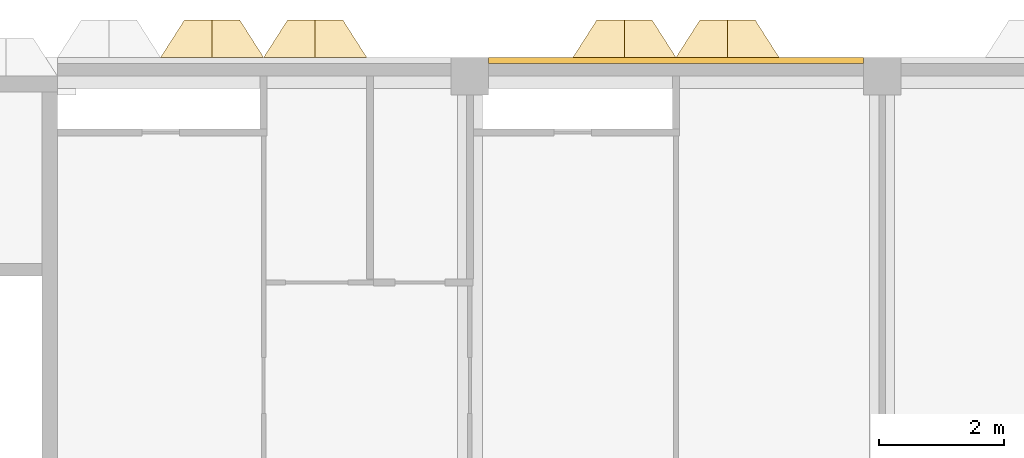
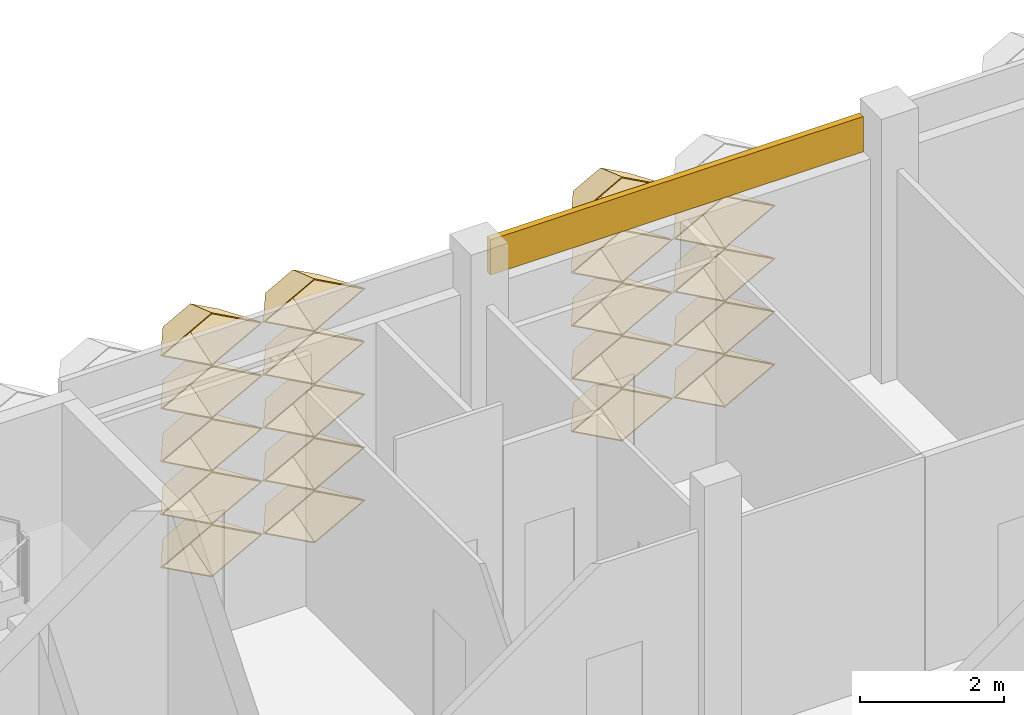
# One storey, part 78 of 87: 20 coverings.
"""IFC4 building model written with IfcOpenShell, lengths in metres."""

from ifc_helpers import new_model, entity, si_unit, direction, frame, frame_2d, origin, place, context, subcontext, project, spatial, rectangle, extrude, material, layer, layer_set, type_object, element, save


model = new_model("IFC4")

# Units and contexts
model_context = context("Model", 3, precision=1e-05, world=origin(), true_north=direction((0.0, 1.0)))
body_context = subcontext(model_context, "Body", "Model", "MODEL_VIEW")
ifc_project = project(units=[si_unit("LENGTHUNIT", "METRE"), si_unit("AREAUNIT", "SQUARE_METRE"), si_unit("VOLUMEUNIT", "CUBIC_METRE"), si_unit("PLANEANGLEUNIT", "RADIAN"), si_unit("MASSUNIT", "GRAM", prefix="KILO")], contexts=[model_context])

# Site, building, storey
site_placement = place(None, origin())
site = spatial("IfcSite", under=ifc_project, at=site_placement, CompositionType="ELEMENT")
building_placement = place(site_placement, origin())
building = spatial("IfcBuilding", under=site, at=building_placement, Name="Lantern Court Research Institute", CompositionType="ELEMENT")
storey_placement = place(building_placement, frame((0.0, 0.0, 5.39990234375)))
storey = spatial("IfcBuildingStorey", under=building, at=storey_placement, Name="L01", CompositionType="ELEMENT", Elevation=5.39990234375)

# Coverings
ifc_material_1 = material(Name="Aluminium composite panel with mineral wool insulation", Category="aluminium")
ifc_layer_1 = layer(ifc_material_1, 0.10009765625)
ifc_layer_set_1 = layer_set([ifc_layer_1], Name="Aluminium composite panel with mineral wool insulation")
covering_type_1 = type_object("IfcCoveringType", Name="Edge fascia panel 100 aluminium faced", PredefinedType="CLADDING", material=ifc_layer_set_1)
covering_1_placement = place(storey_placement, frame((13.5, 99.25, 3.650146484375), z_axis=(0.0, 0.0, 1.0), x_axis=(1.0, 0.0, 0.0)))
element("IfcCovering", 1, at=covering_1_placement, inside=storey, type_object=covering_type_1, Name="Edge fascia V6N L01 02", PredefinedType="CLADDING", context=body_context, shape_type="SweptSolid", body=[
    extrude(rectangle(XDim=6.0, YDim=0.10009765625, at=frame_2d((3.0, 0.0))), origin(), (0.0, 0.0, 1.0), 0.599853515625),
])
ifc_material_2 = material(Name="Anodised aluminium", Category="aluminium")
ifc_layer_2 = layer(ifc_material_2, 0.01611328125)
ifc_layer_set_2 = layer_set([ifc_layer_2], Name="Anodised aluminium")
covering_type_2 = type_object("IfcCoveringType", Name="Fin cassette 1650 x 900 x 600 aluminium", PredefinedType="CLADDING", material=ifc_layer_set_2)
covering_2_placement = place(storey_placement, frame((9.074951171875, 99.300048828125, 0.4501953125), z_axis=(0.0, 1.0, 0.0), x_axis=(-1.0, 0.0, 0.0)))
cartesian_point_1 = entity("IfcCartesianPoint", [0.824951171875, 0.0])
cartesian_point_2 = entity("IfcCartesianPoint", [0.79150390625, 0.0])
cartesian_point_3 = entity("IfcCartesianPoint", [0.44189453125, 0.0])
cartesian_point_4 = entity("IfcCartesianPoint", [0.43359375, 0.0])
element("IfcCovering", 2, at=covering_2_placement, inside=storey, type_object=covering_type_2, Name="Fin cassette V6N-L01 1.6", PredefinedType="CLADDING", context=body_context, shape_type="SweptSolid", body=[
    entity("IfcExtrudedAreaSolidTapered", entity("IfcArbitraryProfileDefWithVoids", "AREA", None, entity("IfcPolyline", [cartesian_point_1, entity("IfcCartesianPoint", [0.0, 0.449951171875]), entity("IfcCartesianPoint", [-0.824951171875, 0.0]), entity("IfcCartesianPoint", [0.0, -0.449951171875]), cartesian_point_1]), [entity("IfcPolyline", [cartesian_point_2, entity("IfcCartesianPoint", [0.0, 0.431884765625]), entity("IfcCartesianPoint", [-0.79150390625, 0.0]), entity("IfcCartesianPoint", [0.0, -0.431884765625]), cartesian_point_2])]), entity("IfcAxis2Placement3D", entity("IfcCartesianPoint", [0.0, 0.0, 0.0])), entity("IfcDirection", [0.0, 0.0, 1.0]), 0.60009765625, entity("IfcArbitraryProfileDefWithVoids", "AREA", None, entity("IfcPolyline", [cartesian_point_3, entity("IfcCartesianPoint", [0.0, 0.240966796875]), entity("IfcCartesianPoint", [-0.44189453125, 0.0]), entity("IfcCartesianPoint", [0.0, -0.240966796875]), cartesian_point_3]), [entity("IfcPolyline", [cartesian_point_4, entity("IfcCartesianPoint", [0.0, 0.236572265625]), entity("IfcCartesianPoint", [-0.43359375, 0.0]), entity("IfcCartesianPoint", [0.0, -0.236572265625]), cartesian_point_4])])),
])
covering_3_placement = place(storey_placement, frame((10.72509765625, 99.300048828125, 0.4501953125), z_axis=(0.0, 1.0, 0.0), x_axis=(-1.0, 0.0, 0.0)))
cartesian_point_5 = entity("IfcCartesianPoint", [0.824951171875, 0.0])
cartesian_point_6 = entity("IfcCartesianPoint", [0.79150390625, 0.0])
cartesian_point_7 = entity("IfcCartesianPoint", [0.44189453125, 0.0])
cartesian_point_8 = entity("IfcCartesianPoint", [0.43359375, 0.0])
element("IfcCovering", 3, at=covering_3_placement, inside=storey, type_object=covering_type_2, Name="Fin cassette V6N-L01 1.7", PredefinedType="CLADDING", context=body_context, shape_type="SweptSolid", body=[
    entity("IfcExtrudedAreaSolidTapered", entity("IfcArbitraryProfileDefWithVoids", "AREA", None, entity("IfcPolyline", [cartesian_point_5, entity("IfcCartesianPoint", [0.0, 0.449951171875]), entity("IfcCartesianPoint", [-0.824951171875, 0.0]), entity("IfcCartesianPoint", [0.0, -0.449951171875]), cartesian_point_5]), [entity("IfcPolyline", [cartesian_point_6, entity("IfcCartesianPoint", [0.0, 0.431884765625]), entity("IfcCartesianPoint", [-0.79150390625, 0.0]), entity("IfcCartesianPoint", [0.0, -0.431884765625]), cartesian_point_6])]), entity("IfcAxis2Placement3D", entity("IfcCartesianPoint", [0.0, 0.0, 0.0])), entity("IfcDirection", [0.0, 0.0, 1.0]), 0.60009765625, entity("IfcArbitraryProfileDefWithVoids", "AREA", None, entity("IfcPolyline", [cartesian_point_7, entity("IfcCartesianPoint", [0.0, 0.240966796875]), entity("IfcCartesianPoint", [-0.44189453125, 0.0]), entity("IfcCartesianPoint", [0.0, -0.240966796875]), cartesian_point_7]), [entity("IfcPolyline", [cartesian_point_8, entity("IfcCartesianPoint", [0.0, 0.236572265625]), entity("IfcCartesianPoint", [-0.43359375, 0.0]), entity("IfcCartesianPoint", [0.0, -0.236572265625]), cartesian_point_8])])),
])
covering_4_placement = place(storey_placement, frame((15.675048828125, 99.300048828125, 0.4501953125), z_axis=(0.0, 1.0, 0.0), x_axis=(-1.0, 0.0, 0.0)))
cartesian_point_9 = entity("IfcCartesianPoint", [0.824951171875, 0.0])
cartesian_point_10 = entity("IfcCartesianPoint", [0.79150390625, 0.0])
cartesian_point_11 = entity("IfcCartesianPoint", [0.44189453125, 0.0])
cartesian_point_12 = entity("IfcCartesianPoint", [0.43359375, 0.0])
element("IfcCovering", 4, at=covering_4_placement, inside=storey, type_object=covering_type_2, Name="Fin cassette V6N-L01 1.10", PredefinedType="CLADDING", context=body_context, shape_type="SweptSolid", body=[
    entity("IfcExtrudedAreaSolidTapered", entity("IfcArbitraryProfileDefWithVoids", "AREA", None, entity("IfcPolyline", [cartesian_point_9, entity("IfcCartesianPoint", [0.0, 0.449951171875]), entity("IfcCartesianPoint", [-0.824951171875, 0.0]), entity("IfcCartesianPoint", [0.0, -0.449951171875]), cartesian_point_9]), [entity("IfcPolyline", [cartesian_point_10, entity("IfcCartesianPoint", [0.0, 0.431884765625]), entity("IfcCartesianPoint", [-0.79150390625, 0.0]), entity("IfcCartesianPoint", [0.0, -0.431884765625]), cartesian_point_10])]), entity("IfcAxis2Placement3D", entity("IfcCartesianPoint", [0.0, 0.0, 0.0])), entity("IfcDirection", [0.0, 0.0, 1.0]), 0.60009765625, entity("IfcArbitraryProfileDefWithVoids", "AREA", None, entity("IfcPolyline", [cartesian_point_11, entity("IfcCartesianPoint", [0.0, 0.240966796875]), entity("IfcCartesianPoint", [-0.44189453125, 0.0]), entity("IfcCartesianPoint", [0.0, -0.240966796875]), cartesian_point_11]), [entity("IfcPolyline", [cartesian_point_12, entity("IfcCartesianPoint", [0.0, 0.236572265625]), entity("IfcCartesianPoint", [-0.43359375, 0.0]), entity("IfcCartesianPoint", [0.0, -0.236572265625]), cartesian_point_12])])),
])
covering_5_placement = place(storey_placement, frame((17.324951171875, 99.300048828125, 0.4501953125), z_axis=(0.0, 1.0, 0.0), x_axis=(-1.0, 0.0, 0.0)))
cartesian_point_13 = entity("IfcCartesianPoint", [0.824951171875, 0.0])
cartesian_point_14 = entity("IfcCartesianPoint", [0.79150390625, 0.0])
cartesian_point_15 = entity("IfcCartesianPoint", [0.44189453125, 0.0])
cartesian_point_16 = entity("IfcCartesianPoint", [0.43359375, 0.0])
element("IfcCovering", 5, at=covering_5_placement, inside=storey, type_object=covering_type_2, Name="Fin cassette V6N-L01 1.11", PredefinedType="CLADDING", context=body_context, shape_type="SweptSolid", body=[
    entity("IfcExtrudedAreaSolidTapered", entity("IfcArbitraryProfileDefWithVoids", "AREA", None, entity("IfcPolyline", [cartesian_point_13, entity("IfcCartesianPoint", [0.0, 0.449951171875]), entity("IfcCartesianPoint", [-0.824951171875, 0.0]), entity("IfcCartesianPoint", [0.0, -0.449951171875]), cartesian_point_13]), [entity("IfcPolyline", [cartesian_point_14, entity("IfcCartesianPoint", [0.0, 0.431884765625]), entity("IfcCartesianPoint", [-0.79150390625, 0.0]), entity("IfcCartesianPoint", [0.0, -0.431884765625]), cartesian_point_14])]), entity("IfcAxis2Placement3D", entity("IfcCartesianPoint", [0.0, 0.0, 0.0])), entity("IfcDirection", [0.0, 0.0, 1.0]), 0.60009765625, entity("IfcArbitraryProfileDefWithVoids", "AREA", None, entity("IfcPolyline", [cartesian_point_15, entity("IfcCartesianPoint", [0.0, 0.240966796875]), entity("IfcCartesianPoint", [-0.44189453125, 0.0]), entity("IfcCartesianPoint", [0.0, -0.240966796875]), cartesian_point_15]), [entity("IfcPolyline", [cartesian_point_16, entity("IfcCartesianPoint", [0.0, 0.236572265625]), entity("IfcCartesianPoint", [-0.43359375, 0.0]), entity("IfcCartesianPoint", [0.0, -0.236572265625]), cartesian_point_16])])),
])
covering_6_placement = place(storey_placement, frame((9.074951171875, 99.300048828125, 1.35009765625), z_axis=(0.0, 1.0, 0.0), x_axis=(-1.0, 0.0, 0.0)))
cartesian_point_17 = entity("IfcCartesianPoint", [0.824951171875, 0.0])
cartesian_point_18 = entity("IfcCartesianPoint", [0.79150390625, 0.0])
cartesian_point_19 = entity("IfcCartesianPoint", [0.44189453125, 0.0])
cartesian_point_20 = entity("IfcCartesianPoint", [0.43359375, 0.0])
element("IfcCovering", 6, at=covering_6_placement, inside=storey, type_object=covering_type_2, Name="Fin cassette V6N-L01 2.6", PredefinedType="CLADDING", context=body_context, shape_type="SweptSolid", body=[
    entity("IfcExtrudedAreaSolidTapered", entity("IfcArbitraryProfileDefWithVoids", "AREA", None, entity("IfcPolyline", [cartesian_point_17, entity("IfcCartesianPoint", [0.0, 0.449951171875]), entity("IfcCartesianPoint", [-0.824951171875, 0.0]), entity("IfcCartesianPoint", [0.0, -0.449951171875]), cartesian_point_17]), [entity("IfcPolyline", [cartesian_point_18, entity("IfcCartesianPoint", [0.0, 0.431884765625]), entity("IfcCartesianPoint", [-0.79150390625, 0.0]), entity("IfcCartesianPoint", [0.0, -0.431884765625]), cartesian_point_18])]), entity("IfcAxis2Placement3D", entity("IfcCartesianPoint", [0.0, 0.0, 0.0])), entity("IfcDirection", [0.0, 0.0, 1.0]), 0.60009765625, entity("IfcArbitraryProfileDefWithVoids", "AREA", None, entity("IfcPolyline", [cartesian_point_19, entity("IfcCartesianPoint", [0.0, 0.240966796875]), entity("IfcCartesianPoint", [-0.44189453125, 0.0]), entity("IfcCartesianPoint", [0.0, -0.240966796875]), cartesian_point_19]), [entity("IfcPolyline", [cartesian_point_20, entity("IfcCartesianPoint", [0.0, 0.236572265625]), entity("IfcCartesianPoint", [-0.43359375, 0.0]), entity("IfcCartesianPoint", [0.0, -0.236572265625]), cartesian_point_20])])),
])
covering_7_placement = place(storey_placement, frame((10.72509765625, 99.300048828125, 1.35009765625), z_axis=(0.0, 1.0, 0.0), x_axis=(-1.0, 0.0, 0.0)))
cartesian_point_21 = entity("IfcCartesianPoint", [0.824951171875, 0.0])
cartesian_point_22 = entity("IfcCartesianPoint", [0.79150390625, 0.0])
cartesian_point_23 = entity("IfcCartesianPoint", [0.44189453125, 0.0])
cartesian_point_24 = entity("IfcCartesianPoint", [0.43359375, 0.0])
element("IfcCovering", 7, at=covering_7_placement, inside=storey, type_object=covering_type_2, Name="Fin cassette V6N-L01 2.7", PredefinedType="CLADDING", context=body_context, shape_type="SweptSolid", body=[
    entity("IfcExtrudedAreaSolidTapered", entity("IfcArbitraryProfileDefWithVoids", "AREA", None, entity("IfcPolyline", [cartesian_point_21, entity("IfcCartesianPoint", [0.0, 0.449951171875]), entity("IfcCartesianPoint", [-0.824951171875, 0.0]), entity("IfcCartesianPoint", [0.0, -0.449951171875]), cartesian_point_21]), [entity("IfcPolyline", [cartesian_point_22, entity("IfcCartesianPoint", [0.0, 0.431884765625]), entity("IfcCartesianPoint", [-0.79150390625, 0.0]), entity("IfcCartesianPoint", [0.0, -0.431884765625]), cartesian_point_22])]), entity("IfcAxis2Placement3D", entity("IfcCartesianPoint", [0.0, 0.0, 0.0])), entity("IfcDirection", [0.0, 0.0, 1.0]), 0.60009765625, entity("IfcArbitraryProfileDefWithVoids", "AREA", None, entity("IfcPolyline", [cartesian_point_23, entity("IfcCartesianPoint", [0.0, 0.240966796875]), entity("IfcCartesianPoint", [-0.44189453125, 0.0]), entity("IfcCartesianPoint", [0.0, -0.240966796875]), cartesian_point_23]), [entity("IfcPolyline", [cartesian_point_24, entity("IfcCartesianPoint", [0.0, 0.236572265625]), entity("IfcCartesianPoint", [-0.43359375, 0.0]), entity("IfcCartesianPoint", [0.0, -0.236572265625]), cartesian_point_24])])),
])
covering_8_placement = place(storey_placement, frame((15.675048828125, 99.300048828125, 1.35009765625), z_axis=(0.0, 1.0, 0.0), x_axis=(-1.0, 0.0, 0.0)))
cartesian_point_25 = entity("IfcCartesianPoint", [0.824951171875, 0.0])
cartesian_point_26 = entity("IfcCartesianPoint", [0.79150390625, 0.0])
cartesian_point_27 = entity("IfcCartesianPoint", [0.44189453125, 0.0])
cartesian_point_28 = entity("IfcCartesianPoint", [0.43359375, 0.0])
element("IfcCovering", 8, at=covering_8_placement, inside=storey, type_object=covering_type_2, Name="Fin cassette V6N-L01 2.10", PredefinedType="CLADDING", context=body_context, shape_type="SweptSolid", body=[
    entity("IfcExtrudedAreaSolidTapered", entity("IfcArbitraryProfileDefWithVoids", "AREA", None, entity("IfcPolyline", [cartesian_point_25, entity("IfcCartesianPoint", [0.0, 0.449951171875]), entity("IfcCartesianPoint", [-0.824951171875, 0.0]), entity("IfcCartesianPoint", [0.0, -0.449951171875]), cartesian_point_25]), [entity("IfcPolyline", [cartesian_point_26, entity("IfcCartesianPoint", [0.0, 0.431884765625]), entity("IfcCartesianPoint", [-0.79150390625, 0.0]), entity("IfcCartesianPoint", [0.0, -0.431884765625]), cartesian_point_26])]), entity("IfcAxis2Placement3D", entity("IfcCartesianPoint", [0.0, 0.0, 0.0])), entity("IfcDirection", [0.0, 0.0, 1.0]), 0.60009765625, entity("IfcArbitraryProfileDefWithVoids", "AREA", None, entity("IfcPolyline", [cartesian_point_27, entity("IfcCartesianPoint", [0.0, 0.240966796875]), entity("IfcCartesianPoint", [-0.44189453125, 0.0]), entity("IfcCartesianPoint", [0.0, -0.240966796875]), cartesian_point_27]), [entity("IfcPolyline", [cartesian_point_28, entity("IfcCartesianPoint", [0.0, 0.236572265625]), entity("IfcCartesianPoint", [-0.43359375, 0.0]), entity("IfcCartesianPoint", [0.0, -0.236572265625]), cartesian_point_28])])),
])
covering_9_placement = place(storey_placement, frame((17.324951171875, 99.300048828125, 1.35009765625), z_axis=(0.0, 1.0, 0.0), x_axis=(-1.0, 0.0, 0.0)))
cartesian_point_29 = entity("IfcCartesianPoint", [0.824951171875, 0.0])
cartesian_point_30 = entity("IfcCartesianPoint", [0.79150390625, 0.0])
cartesian_point_31 = entity("IfcCartesianPoint", [0.44189453125, 0.0])
cartesian_point_32 = entity("IfcCartesianPoint", [0.43359375, 0.0])
element("IfcCovering", 9, at=covering_9_placement, inside=storey, type_object=covering_type_2, Name="Fin cassette V6N-L01 2.11", PredefinedType="CLADDING", context=body_context, shape_type="SweptSolid", body=[
    entity("IfcExtrudedAreaSolidTapered", entity("IfcArbitraryProfileDefWithVoids", "AREA", None, entity("IfcPolyline", [cartesian_point_29, entity("IfcCartesianPoint", [0.0, 0.449951171875]), entity("IfcCartesianPoint", [-0.824951171875, 0.0]), entity("IfcCartesianPoint", [0.0, -0.449951171875]), cartesian_point_29]), [entity("IfcPolyline", [cartesian_point_30, entity("IfcCartesianPoint", [0.0, 0.431884765625]), entity("IfcCartesianPoint", [-0.79150390625, 0.0]), entity("IfcCartesianPoint", [0.0, -0.431884765625]), cartesian_point_30])]), entity("IfcAxis2Placement3D", entity("IfcCartesianPoint", [0.0, 0.0, 0.0])), entity("IfcDirection", [0.0, 0.0, 1.0]), 0.60009765625, entity("IfcArbitraryProfileDefWithVoids", "AREA", None, entity("IfcPolyline", [cartesian_point_31, entity("IfcCartesianPoint", [0.0, 0.240966796875]), entity("IfcCartesianPoint", [-0.44189453125, 0.0]), entity("IfcCartesianPoint", [0.0, -0.240966796875]), cartesian_point_31]), [entity("IfcPolyline", [cartesian_point_32, entity("IfcCartesianPoint", [0.0, 0.236572265625]), entity("IfcCartesianPoint", [-0.43359375, 0.0]), entity("IfcCartesianPoint", [0.0, -0.236572265625]), cartesian_point_32])])),
])
covering_10_placement = place(storey_placement, frame((9.074951171875, 99.300048828125, 2.25), z_axis=(0.0, 1.0, 0.0), x_axis=(-1.0, 0.0, 0.0)))
cartesian_point_33 = entity("IfcCartesianPoint", [0.824951171875, 0.0])
cartesian_point_34 = entity("IfcCartesianPoint", [0.79150390625, 0.0])
cartesian_point_35 = entity("IfcCartesianPoint", [0.44189453125, 0.0])
cartesian_point_36 = entity("IfcCartesianPoint", [0.43359375, 0.0])
element("IfcCovering", 10, at=covering_10_placement, inside=storey, type_object=covering_type_2, Name="Fin cassette V6N-L01 3.6", PredefinedType="CLADDING", context=body_context, shape_type="SweptSolid", body=[
    entity("IfcExtrudedAreaSolidTapered", entity("IfcArbitraryProfileDefWithVoids", "AREA", None, entity("IfcPolyline", [cartesian_point_33, entity("IfcCartesianPoint", [0.0, 0.449951171875]), entity("IfcCartesianPoint", [-0.824951171875, 0.0]), entity("IfcCartesianPoint", [0.0, -0.449951171875]), cartesian_point_33]), [entity("IfcPolyline", [cartesian_point_34, entity("IfcCartesianPoint", [0.0, 0.431884765625]), entity("IfcCartesianPoint", [-0.79150390625, 0.0]), entity("IfcCartesianPoint", [0.0, -0.431884765625]), cartesian_point_34])]), entity("IfcAxis2Placement3D", entity("IfcCartesianPoint", [0.0, 0.0, 0.0])), entity("IfcDirection", [0.0, 0.0, 1.0]), 0.60009765625, entity("IfcArbitraryProfileDefWithVoids", "AREA", None, entity("IfcPolyline", [cartesian_point_35, entity("IfcCartesianPoint", [0.0, 0.240966796875]), entity("IfcCartesianPoint", [-0.44189453125, 0.0]), entity("IfcCartesianPoint", [0.0, -0.240966796875]), cartesian_point_35]), [entity("IfcPolyline", [cartesian_point_36, entity("IfcCartesianPoint", [0.0, 0.236572265625]), entity("IfcCartesianPoint", [-0.43359375, 0.0]), entity("IfcCartesianPoint", [0.0, -0.236572265625]), cartesian_point_36])])),
])
covering_11_placement = place(storey_placement, frame((10.72509765625, 99.300048828125, 2.25), z_axis=(0.0, 1.0, 0.0), x_axis=(-1.0, 0.0, 0.0)))
cartesian_point_37 = entity("IfcCartesianPoint", [0.824951171875, 0.0])
cartesian_point_38 = entity("IfcCartesianPoint", [0.79150390625, 0.0])
cartesian_point_39 = entity("IfcCartesianPoint", [0.44189453125, 0.0])
cartesian_point_40 = entity("IfcCartesianPoint", [0.43359375, 0.0])
element("IfcCovering", 11, at=covering_11_placement, inside=storey, type_object=covering_type_2, Name="Fin cassette V6N-L01 3.7", PredefinedType="CLADDING", context=body_context, shape_type="SweptSolid", body=[
    entity("IfcExtrudedAreaSolidTapered", entity("IfcArbitraryProfileDefWithVoids", "AREA", None, entity("IfcPolyline", [cartesian_point_37, entity("IfcCartesianPoint", [0.0, 0.449951171875]), entity("IfcCartesianPoint", [-0.824951171875, 0.0]), entity("IfcCartesianPoint", [0.0, -0.449951171875]), cartesian_point_37]), [entity("IfcPolyline", [cartesian_point_38, entity("IfcCartesianPoint", [0.0, 0.431884765625]), entity("IfcCartesianPoint", [-0.79150390625, 0.0]), entity("IfcCartesianPoint", [0.0, -0.431884765625]), cartesian_point_38])]), entity("IfcAxis2Placement3D", entity("IfcCartesianPoint", [0.0, 0.0, 0.0])), entity("IfcDirection", [0.0, 0.0, 1.0]), 0.60009765625, entity("IfcArbitraryProfileDefWithVoids", "AREA", None, entity("IfcPolyline", [cartesian_point_39, entity("IfcCartesianPoint", [0.0, 0.240966796875]), entity("IfcCartesianPoint", [-0.44189453125, 0.0]), entity("IfcCartesianPoint", [0.0, -0.240966796875]), cartesian_point_39]), [entity("IfcPolyline", [cartesian_point_40, entity("IfcCartesianPoint", [0.0, 0.236572265625]), entity("IfcCartesianPoint", [-0.43359375, 0.0]), entity("IfcCartesianPoint", [0.0, -0.236572265625]), cartesian_point_40])])),
])
covering_12_placement = place(storey_placement, frame((15.675048828125, 99.300048828125, 2.25), z_axis=(0.0, 1.0, 0.0), x_axis=(-1.0, 0.0, 0.0)))
cartesian_point_41 = entity("IfcCartesianPoint", [0.824951171875, 0.0])
cartesian_point_42 = entity("IfcCartesianPoint", [0.79150390625, 0.0])
cartesian_point_43 = entity("IfcCartesianPoint", [0.44189453125, 0.0])
cartesian_point_44 = entity("IfcCartesianPoint", [0.43359375, 0.0])
element("IfcCovering", 12, at=covering_12_placement, inside=storey, type_object=covering_type_2, Name="Fin cassette V6N-L01 3.10", PredefinedType="CLADDING", context=body_context, shape_type="SweptSolid", body=[
    entity("IfcExtrudedAreaSolidTapered", entity("IfcArbitraryProfileDefWithVoids", "AREA", None, entity("IfcPolyline", [cartesian_point_41, entity("IfcCartesianPoint", [0.0, 0.449951171875]), entity("IfcCartesianPoint", [-0.824951171875, 0.0]), entity("IfcCartesianPoint", [0.0, -0.449951171875]), cartesian_point_41]), [entity("IfcPolyline", [cartesian_point_42, entity("IfcCartesianPoint", [0.0, 0.431884765625]), entity("IfcCartesianPoint", [-0.79150390625, 0.0]), entity("IfcCartesianPoint", [0.0, -0.431884765625]), cartesian_point_42])]), entity("IfcAxis2Placement3D", entity("IfcCartesianPoint", [0.0, 0.0, 0.0])), entity("IfcDirection", [0.0, 0.0, 1.0]), 0.60009765625, entity("IfcArbitraryProfileDefWithVoids", "AREA", None, entity("IfcPolyline", [cartesian_point_43, entity("IfcCartesianPoint", [0.0, 0.240966796875]), entity("IfcCartesianPoint", [-0.44189453125, 0.0]), entity("IfcCartesianPoint", [0.0, -0.240966796875]), cartesian_point_43]), [entity("IfcPolyline", [cartesian_point_44, entity("IfcCartesianPoint", [0.0, 0.236572265625]), entity("IfcCartesianPoint", [-0.43359375, 0.0]), entity("IfcCartesianPoint", [0.0, -0.236572265625]), cartesian_point_44])])),
])
covering_13_placement = place(storey_placement, frame((17.324951171875, 99.300048828125, 2.25), z_axis=(0.0, 1.0, 0.0), x_axis=(-1.0, 0.0, 0.0)))
cartesian_point_45 = entity("IfcCartesianPoint", [0.824951171875, 0.0])
cartesian_point_46 = entity("IfcCartesianPoint", [0.79150390625, 0.0])
cartesian_point_47 = entity("IfcCartesianPoint", [0.44189453125, 0.0])
cartesian_point_48 = entity("IfcCartesianPoint", [0.43359375, 0.0])
element("IfcCovering", 13, at=covering_13_placement, inside=storey, type_object=covering_type_2, Name="Fin cassette V6N-L01 3.11", PredefinedType="CLADDING", context=body_context, shape_type="SweptSolid", body=[
    entity("IfcExtrudedAreaSolidTapered", entity("IfcArbitraryProfileDefWithVoids", "AREA", None, entity("IfcPolyline", [cartesian_point_45, entity("IfcCartesianPoint", [0.0, 0.449951171875]), entity("IfcCartesianPoint", [-0.824951171875, 0.0]), entity("IfcCartesianPoint", [0.0, -0.449951171875]), cartesian_point_45]), [entity("IfcPolyline", [cartesian_point_46, entity("IfcCartesianPoint", [0.0, 0.431884765625]), entity("IfcCartesianPoint", [-0.79150390625, 0.0]), entity("IfcCartesianPoint", [0.0, -0.431884765625]), cartesian_point_46])]), entity("IfcAxis2Placement3D", entity("IfcCartesianPoint", [0.0, 0.0, 0.0])), entity("IfcDirection", [0.0, 0.0, 1.0]), 0.60009765625, entity("IfcArbitraryProfileDefWithVoids", "AREA", None, entity("IfcPolyline", [cartesian_point_47, entity("IfcCartesianPoint", [0.0, 0.240966796875]), entity("IfcCartesianPoint", [-0.44189453125, 0.0]), entity("IfcCartesianPoint", [0.0, -0.240966796875]), cartesian_point_47]), [entity("IfcPolyline", [cartesian_point_48, entity("IfcCartesianPoint", [0.0, 0.236572265625]), entity("IfcCartesianPoint", [-0.43359375, 0.0]), entity("IfcCartesianPoint", [0.0, -0.236572265625]), cartesian_point_48])])),
])
covering_14_placement = place(storey_placement, frame((9.074951171875, 99.300048828125, 3.150146484375), z_axis=(0.0, 1.0, 0.0), x_axis=(-1.0, 0.0, 0.0)))
cartesian_point_49 = entity("IfcCartesianPoint", [0.824951171875, 0.0])
cartesian_point_50 = entity("IfcCartesianPoint", [0.79150390625, 0.0])
cartesian_point_51 = entity("IfcCartesianPoint", [0.44189453125, 0.0])
cartesian_point_52 = entity("IfcCartesianPoint", [0.43359375, 0.0])
element("IfcCovering", 14, at=covering_14_placement, inside=storey, type_object=covering_type_2, Name="Fin cassette V6N-L01 4.6", PredefinedType="CLADDING", context=body_context, shape_type="SweptSolid", body=[
    entity("IfcExtrudedAreaSolidTapered", entity("IfcArbitraryProfileDefWithVoids", "AREA", None, entity("IfcPolyline", [cartesian_point_49, entity("IfcCartesianPoint", [0.0, 0.449951171875]), entity("IfcCartesianPoint", [-0.824951171875, 0.0]), entity("IfcCartesianPoint", [0.0, -0.449951171875]), cartesian_point_49]), [entity("IfcPolyline", [cartesian_point_50, entity("IfcCartesianPoint", [0.0, 0.431884765625]), entity("IfcCartesianPoint", [-0.79150390625, 0.0]), entity("IfcCartesianPoint", [0.0, -0.431884765625]), cartesian_point_50])]), entity("IfcAxis2Placement3D", entity("IfcCartesianPoint", [0.0, 0.0, 0.0])), entity("IfcDirection", [0.0, 0.0, 1.0]), 0.60009765625, entity("IfcArbitraryProfileDefWithVoids", "AREA", None, entity("IfcPolyline", [cartesian_point_51, entity("IfcCartesianPoint", [0.0, 0.240966796875]), entity("IfcCartesianPoint", [-0.44189453125, 0.0]), entity("IfcCartesianPoint", [0.0, -0.240966796875]), cartesian_point_51]), [entity("IfcPolyline", [cartesian_point_52, entity("IfcCartesianPoint", [0.0, 0.236572265625]), entity("IfcCartesianPoint", [-0.43359375, 0.0]), entity("IfcCartesianPoint", [0.0, -0.236572265625]), cartesian_point_52])])),
])
covering_15_placement = place(storey_placement, frame((10.72509765625, 99.300048828125, 3.150146484375), z_axis=(0.0, 1.0, 0.0), x_axis=(-1.0, 0.0, 0.0)))
cartesian_point_53 = entity("IfcCartesianPoint", [0.824951171875, 0.0])
cartesian_point_54 = entity("IfcCartesianPoint", [0.79150390625, 0.0])
cartesian_point_55 = entity("IfcCartesianPoint", [0.44189453125, 0.0])
cartesian_point_56 = entity("IfcCartesianPoint", [0.43359375, 0.0])
element("IfcCovering", 15, at=covering_15_placement, inside=storey, type_object=covering_type_2, Name="Fin cassette V6N-L01 4.7", PredefinedType="CLADDING", context=body_context, shape_type="SweptSolid", body=[
    entity("IfcExtrudedAreaSolidTapered", entity("IfcArbitraryProfileDefWithVoids", "AREA", None, entity("IfcPolyline", [cartesian_point_53, entity("IfcCartesianPoint", [0.0, 0.449951171875]), entity("IfcCartesianPoint", [-0.824951171875, 0.0]), entity("IfcCartesianPoint", [0.0, -0.449951171875]), cartesian_point_53]), [entity("IfcPolyline", [cartesian_point_54, entity("IfcCartesianPoint", [0.0, 0.431884765625]), entity("IfcCartesianPoint", [-0.79150390625, 0.0]), entity("IfcCartesianPoint", [0.0, -0.431884765625]), cartesian_point_54])]), entity("IfcAxis2Placement3D", entity("IfcCartesianPoint", [0.0, 0.0, 0.0])), entity("IfcDirection", [0.0, 0.0, 1.0]), 0.60009765625, entity("IfcArbitraryProfileDefWithVoids", "AREA", None, entity("IfcPolyline", [cartesian_point_55, entity("IfcCartesianPoint", [0.0, 0.240966796875]), entity("IfcCartesianPoint", [-0.44189453125, 0.0]), entity("IfcCartesianPoint", [0.0, -0.240966796875]), cartesian_point_55]), [entity("IfcPolyline", [cartesian_point_56, entity("IfcCartesianPoint", [0.0, 0.236572265625]), entity("IfcCartesianPoint", [-0.43359375, 0.0]), entity("IfcCartesianPoint", [0.0, -0.236572265625]), cartesian_point_56])])),
])
covering_16_placement = place(storey_placement, frame((15.675048828125, 99.300048828125, 3.150146484375), z_axis=(0.0, 1.0, 0.0), x_axis=(-1.0, 0.0, 0.0)))
cartesian_point_57 = entity("IfcCartesianPoint", [0.824951171875, 0.0])
cartesian_point_58 = entity("IfcCartesianPoint", [0.79150390625, 0.0])
cartesian_point_59 = entity("IfcCartesianPoint", [0.44189453125, 0.0])
cartesian_point_60 = entity("IfcCartesianPoint", [0.43359375, 0.0])
element("IfcCovering", 16, at=covering_16_placement, inside=storey, type_object=covering_type_2, Name="Fin cassette V6N-L01 4.10", PredefinedType="CLADDING", context=body_context, shape_type="SweptSolid", body=[
    entity("IfcExtrudedAreaSolidTapered", entity("IfcArbitraryProfileDefWithVoids", "AREA", None, entity("IfcPolyline", [cartesian_point_57, entity("IfcCartesianPoint", [0.0, 0.449951171875]), entity("IfcCartesianPoint", [-0.824951171875, 0.0]), entity("IfcCartesianPoint", [0.0, -0.449951171875]), cartesian_point_57]), [entity("IfcPolyline", [cartesian_point_58, entity("IfcCartesianPoint", [0.0, 0.431884765625]), entity("IfcCartesianPoint", [-0.79150390625, 0.0]), entity("IfcCartesianPoint", [0.0, -0.431884765625]), cartesian_point_58])]), entity("IfcAxis2Placement3D", entity("IfcCartesianPoint", [0.0, 0.0, 0.0])), entity("IfcDirection", [0.0, 0.0, 1.0]), 0.60009765625, entity("IfcArbitraryProfileDefWithVoids", "AREA", None, entity("IfcPolyline", [cartesian_point_59, entity("IfcCartesianPoint", [0.0, 0.240966796875]), entity("IfcCartesianPoint", [-0.44189453125, 0.0]), entity("IfcCartesianPoint", [0.0, -0.240966796875]), cartesian_point_59]), [entity("IfcPolyline", [cartesian_point_60, entity("IfcCartesianPoint", [0.0, 0.236572265625]), entity("IfcCartesianPoint", [-0.43359375, 0.0]), entity("IfcCartesianPoint", [0.0, -0.236572265625]), cartesian_point_60])])),
])
covering_17_placement = place(storey_placement, frame((17.324951171875, 99.300048828125, 3.150146484375), z_axis=(0.0, 1.0, 0.0), x_axis=(-1.0, 0.0, 0.0)))
cartesian_point_61 = entity("IfcCartesianPoint", [0.824951171875, 0.0])
cartesian_point_62 = entity("IfcCartesianPoint", [0.79150390625, 0.0])
cartesian_point_63 = entity("IfcCartesianPoint", [0.44189453125, 0.0])
cartesian_point_64 = entity("IfcCartesianPoint", [0.43359375, 0.0])
element("IfcCovering", 17, at=covering_17_placement, inside=storey, type_object=covering_type_2, Name="Fin cassette V6N-L01 4.11", PredefinedType="CLADDING", context=body_context, shape_type="SweptSolid", body=[
    entity("IfcExtrudedAreaSolidTapered", entity("IfcArbitraryProfileDefWithVoids", "AREA", None, entity("IfcPolyline", [cartesian_point_61, entity("IfcCartesianPoint", [0.0, 0.449951171875]), entity("IfcCartesianPoint", [-0.824951171875, 0.0]), entity("IfcCartesianPoint", [0.0, -0.449951171875]), cartesian_point_61]), [entity("IfcPolyline", [cartesian_point_62, entity("IfcCartesianPoint", [0.0, 0.431884765625]), entity("IfcCartesianPoint", [-0.79150390625, 0.0]), entity("IfcCartesianPoint", [0.0, -0.431884765625]), cartesian_point_62])]), entity("IfcAxis2Placement3D", entity("IfcCartesianPoint", [0.0, 0.0, 0.0])), entity("IfcDirection", [0.0, 0.0, 1.0]), 0.60009765625, entity("IfcArbitraryProfileDefWithVoids", "AREA", None, entity("IfcPolyline", [cartesian_point_63, entity("IfcCartesianPoint", [0.0, 0.240966796875]), entity("IfcCartesianPoint", [-0.44189453125, 0.0]), entity("IfcCartesianPoint", [0.0, -0.240966796875]), cartesian_point_63]), [entity("IfcPolyline", [cartesian_point_64, entity("IfcCartesianPoint", [0.0, 0.236572265625]), entity("IfcCartesianPoint", [-0.43359375, 0.0]), entity("IfcCartesianPoint", [0.0, -0.236572265625]), cartesian_point_64])])),
])
covering_18_placement = place(storey_placement, frame((9.074951171875, 99.300048828125, 4.050048828125), z_axis=(0.0, 1.0, 0.0), x_axis=(-1.0, 0.0, 0.0)))
cartesian_point_65 = entity("IfcCartesianPoint", [0.824951171875, 0.0])
cartesian_point_66 = entity("IfcCartesianPoint", [0.79150390625, 0.0])
cartesian_point_67 = entity("IfcCartesianPoint", [0.44189453125, 0.0])
cartesian_point_68 = entity("IfcCartesianPoint", [0.43359375, 0.0])
element("IfcCovering", 18, at=covering_18_placement, inside=storey, type_object=covering_type_2, Name="Fin cassette V6N-L01 5.6", PredefinedType="CLADDING", context=body_context, shape_type="SweptSolid", body=[
    entity("IfcExtrudedAreaSolidTapered", entity("IfcArbitraryProfileDefWithVoids", "AREA", None, entity("IfcPolyline", [cartesian_point_65, entity("IfcCartesianPoint", [0.0, 0.449951171875]), entity("IfcCartesianPoint", [-0.824951171875, 0.0]), entity("IfcCartesianPoint", [0.0, -0.449951171875]), cartesian_point_65]), [entity("IfcPolyline", [cartesian_point_66, entity("IfcCartesianPoint", [0.0, 0.431884765625]), entity("IfcCartesianPoint", [-0.79150390625, 0.0]), entity("IfcCartesianPoint", [0.0, -0.431884765625]), cartesian_point_66])]), entity("IfcAxis2Placement3D", entity("IfcCartesianPoint", [0.0, 0.0, 0.0])), entity("IfcDirection", [0.0, 0.0, 1.0]), 0.60009765625, entity("IfcArbitraryProfileDefWithVoids", "AREA", None, entity("IfcPolyline", [cartesian_point_67, entity("IfcCartesianPoint", [0.0, 0.240966796875]), entity("IfcCartesianPoint", [-0.44189453125, 0.0]), entity("IfcCartesianPoint", [0.0, -0.240966796875]), cartesian_point_67]), [entity("IfcPolyline", [cartesian_point_68, entity("IfcCartesianPoint", [0.0, 0.236572265625]), entity("IfcCartesianPoint", [-0.43359375, 0.0]), entity("IfcCartesianPoint", [0.0, -0.236572265625]), cartesian_point_68])])),
])
covering_19_placement = place(storey_placement, frame((10.72509765625, 99.300048828125, 4.050048828125), z_axis=(0.0, 1.0, 0.0), x_axis=(-1.0, 0.0, 0.0)))
cartesian_point_69 = entity("IfcCartesianPoint", [0.824951171875, 0.0])
cartesian_point_70 = entity("IfcCartesianPoint", [0.79150390625, 0.0])
cartesian_point_71 = entity("IfcCartesianPoint", [0.44189453125, 0.0])
cartesian_point_72 = entity("IfcCartesianPoint", [0.43359375, 0.0])
element("IfcCovering", 19, at=covering_19_placement, inside=storey, type_object=covering_type_2, Name="Fin cassette V6N-L01 5.7", PredefinedType="CLADDING", context=body_context, shape_type="SweptSolid", body=[
    entity("IfcExtrudedAreaSolidTapered", entity("IfcArbitraryProfileDefWithVoids", "AREA", None, entity("IfcPolyline", [cartesian_point_69, entity("IfcCartesianPoint", [0.0, 0.449951171875]), entity("IfcCartesianPoint", [-0.824951171875, 0.0]), entity("IfcCartesianPoint", [0.0, -0.449951171875]), cartesian_point_69]), [entity("IfcPolyline", [cartesian_point_70, entity("IfcCartesianPoint", [0.0, 0.431884765625]), entity("IfcCartesianPoint", [-0.79150390625, 0.0]), entity("IfcCartesianPoint", [0.0, -0.431884765625]), cartesian_point_70])]), entity("IfcAxis2Placement3D", entity("IfcCartesianPoint", [0.0, 0.0, 0.0])), entity("IfcDirection", [0.0, 0.0, 1.0]), 0.60009765625, entity("IfcArbitraryProfileDefWithVoids", "AREA", None, entity("IfcPolyline", [cartesian_point_71, entity("IfcCartesianPoint", [0.0, 0.240966796875]), entity("IfcCartesianPoint", [-0.44189453125, 0.0]), entity("IfcCartesianPoint", [0.0, -0.240966796875]), cartesian_point_71]), [entity("IfcPolyline", [cartesian_point_72, entity("IfcCartesianPoint", [0.0, 0.236572265625]), entity("IfcCartesianPoint", [-0.43359375, 0.0]), entity("IfcCartesianPoint", [0.0, -0.236572265625]), cartesian_point_72])])),
])
covering_20_placement = place(storey_placement, frame((15.675048828125, 99.300048828125, 4.050048828125), z_axis=(0.0, 1.0, 0.0), x_axis=(-1.0, 0.0, 0.0)))
cartesian_point_73 = entity("IfcCartesianPoint", [0.824951171875, 0.0])
cartesian_point_74 = entity("IfcCartesianPoint", [0.79150390625, 0.0])
cartesian_point_75 = entity("IfcCartesianPoint", [0.44189453125, 0.0])
cartesian_point_76 = entity("IfcCartesianPoint", [0.43359375, 0.0])
element("IfcCovering", 20, at=covering_20_placement, inside=storey, type_object=covering_type_2, Name="Fin cassette V6N-L01 5.10", PredefinedType="CLADDING", context=body_context, shape_type="SweptSolid", body=[
    entity("IfcExtrudedAreaSolidTapered", entity("IfcArbitraryProfileDefWithVoids", "AREA", None, entity("IfcPolyline", [cartesian_point_73, entity("IfcCartesianPoint", [0.0, 0.449951171875]), entity("IfcCartesianPoint", [-0.824951171875, 0.0]), entity("IfcCartesianPoint", [0.0, -0.449951171875]), cartesian_point_73]), [entity("IfcPolyline", [cartesian_point_74, entity("IfcCartesianPoint", [0.0, 0.431884765625]), entity("IfcCartesianPoint", [-0.79150390625, 0.0]), entity("IfcCartesianPoint", [0.0, -0.431884765625]), cartesian_point_74])]), entity("IfcAxis2Placement3D", entity("IfcCartesianPoint", [0.0, 0.0, 0.0])), entity("IfcDirection", [0.0, 0.0, 1.0]), 0.60009765625, entity("IfcArbitraryProfileDefWithVoids", "AREA", None, entity("IfcPolyline", [cartesian_point_75, entity("IfcCartesianPoint", [0.0, 0.240966796875]), entity("IfcCartesianPoint", [-0.44189453125, 0.0]), entity("IfcCartesianPoint", [0.0, -0.240966796875]), cartesian_point_75]), [entity("IfcPolyline", [cartesian_point_76, entity("IfcCartesianPoint", [0.0, 0.236572265625]), entity("IfcCartesianPoint", [-0.43359375, 0.0]), entity("IfcCartesianPoint", [0.0, -0.236572265625]), cartesian_point_76])])),
])

save(model, "model.ifc")
